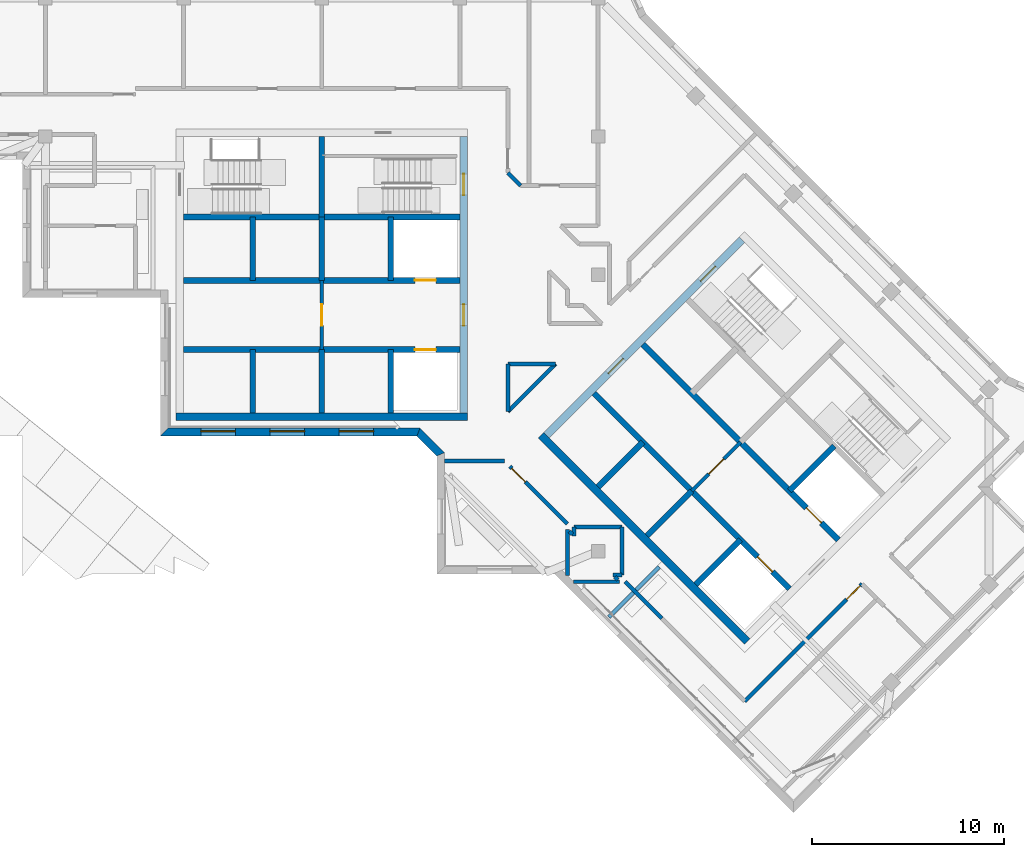
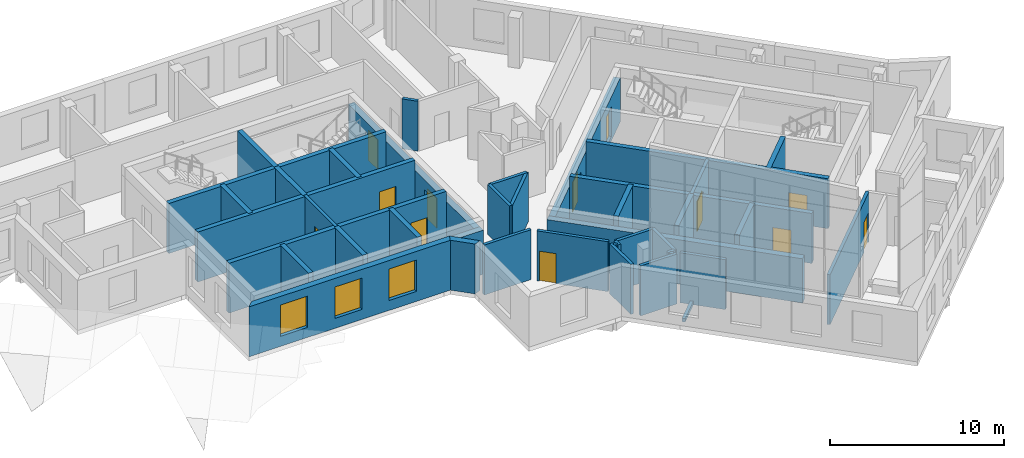
# One storey, part 7 of 13: 42 walls, 12 doors, 3 windows, 15 openings.
"""IFC4 building model written with IfcOpenShell, lengths in metres."""

from ifc_helpers import new_model, si_unit, direction, frame, frame_2d, origin, place, context, subcontext, project, spatial, polyline, rectangle, outline, extrude, material, layer, layer_set, type_object, element, fill, save


model = new_model("IFC4")

# Units and contexts
model_context = context("Model", 3, precision=1e-05, world=origin(), true_north=direction((0.0, 1.0)))
body_context = subcontext(model_context, "Body", "Model", "MODEL_VIEW")
ifc_project = project(units=[si_unit("LENGTHUNIT", "METRE"), si_unit("AREAUNIT", "SQUARE_METRE"), si_unit("VOLUMEUNIT", "CUBIC_METRE"), si_unit("PLANEANGLEUNIT", "RADIAN"), si_unit("MASSUNIT", "GRAM", prefix="KILO")], contexts=[model_context])

# Site, building, storey
site_placement = place(None, origin())
site = spatial("IfcSite", under=ifc_project, at=site_placement, CompositionType="ELEMENT")
building_placement = place(site_placement, origin())
building = spatial("IfcBuilding", under=site, at=building_placement, Name="Windrow Commons", CompositionType="ELEMENT")
storey_placement = place(building_placement, frame((0.0, 0.0, 294.4)))
storey = spatial("IfcBuildingStorey", under=building, at=storey_placement, Name="L80", CompositionType="ELEMENT", Elevation=294.4)

# Wall, opening, door
ifc_material_1 = material(Name="Blockwork partition", Category="masonry")
ifc_layer_1 = layer(ifc_material_1, 0.2)
ifc_layer_set_1 = layer_set([ifc_layer_1], Name="Fire lobby partition 200")
wall_type_1 = type_object("IfcWallType", Name="Fire lobby partition 200", PredefinedType="PARTITIONING", material=ifc_layer_set_1)
wall_1_placement = place(storey_placement, frame((64.8, 53.7, 0.0), z_axis=(0.0, 0.0, 1.0), x_axis=(0.0, 1.0, 0.0)))
wall_1 = element("IfcWall", 1, at=wall_1_placement, inside=storey, type_object=wall_type_1, Name="W-core-lobby-A-L80", PredefinedType="PARTITIONING", context=body_context, shape_type="SweptSolid", body=[
    extrude(outline(polyline([(0.0, 0.0), (3.6, 0.0), (3.6, 3.5), (0.0, 3.5), (0.0, 0.0)])), frame((0.0, 0.1, 0.0), z_axis=(0.0, -1.0, 0.0), x_axis=(1.0, 0.0, 0.0)), (0.0, 0.0, 1.0), 0.2),
])
opening_1_placement = place(wall_1_placement, frame((1.25, 0.0, 0.0)))
opening_1 = element("IfcOpeningElement", 2, at=opening_1_placement, cuts=wall_1, Name="Opening D6", PredefinedType="OPENING", context=body_context, shape_type="SweptSolid", body=[
    extrude(rectangle(XDim=1.1, YDim=2.1, at=frame_2d((0.55, 1.05))), frame((0.0, 0.11, 0.0), z_axis=(0.0, -1.0, 0.0), x_axis=(1.0, 0.0, 0.0)), (0.0, 0.0, 1.0), 0.22),
])
ifc_material_2 = material(Name="Steel fire door leaf", Category="steel")
door_type_1 = type_object("IfcDoorType", Name="Core lobby door 1100", OperationType="SINGLE_SWING_LEFT", PredefinedType="DOOR", material=ifc_material_2)
door_1_placement = place(opening_1_placement, origin())
door_1 = element("IfcDoor", 3, at=door_1_placement, inside=storey, type_object=door_type_1, Name="Lift lobby door", OperationType="DOUBLE_DOOR_SINGLE_SWING", OverallHeight=2.1, OverallWidth=1.1, PredefinedType="DOOR", context=body_context, shape_type="SweptSolid", body=[
    extrude(rectangle(XDim=1.1, YDim=2.1, at=frame_2d((0.55, 1.05))), frame((0.0, 0.025, 0.0), z_axis=(0.0, -1.0, 0.0), x_axis=(1.0, 0.0, 0.0)), (0.0, 0.0, 1.0), 0.05),
])
fill(opening_1, door_1)

wall_2_placement = place(storey_placement, frame((84.079, 46.332, 0.0), z_axis=(0.0, 0.0, 1.0), x_axis=(0.7071067812, 0.7071067812, 0.0)))
wall_2 = element("IfcWall", 4, at=wall_2_placement, inside=storey, type_object=wall_type_1, Name="W-core-lobby-B-L80", PredefinedType="PARTITIONING", context=body_context, shape_type="SweptSolid", body=[
    extrude(outline(polyline([(0.0, 0.0), (3.6, 0.0), (3.6, 3.5), (0.0, 3.5), (0.0, 0.0)])), frame((0.0, 0.1, 0.0), z_axis=(0.0, -1.0, 0.0), x_axis=(1.0, 0.0, 0.0)), (0.0, 0.0, 1.0), 0.2),
])
opening_2_placement = place(wall_2_placement, frame((1.25, 0.0, 0.0)))
opening_2 = element("IfcOpeningElement", 5, at=opening_2_placement, cuts=wall_2, Name="Opening D6", PredefinedType="OPENING", context=body_context, shape_type="SweptSolid", body=[
    extrude(rectangle(XDim=1.1, YDim=2.1, at=frame_2d((0.55, 1.05))), frame((0.0, 0.11, 0.0), z_axis=(0.0, -1.0, 0.0), x_axis=(1.0, 0.0, 0.0)), (0.0, 0.0, 1.0), 0.22),
])
door_2_placement = place(opening_2_placement, origin())
door_2 = element("IfcDoor", 6, at=door_2_placement, inside=storey, type_object=door_type_1, Name="Lift lobby door", OperationType="DOUBLE_DOOR_SINGLE_SWING", OverallHeight=2.1, OverallWidth=1.1, PredefinedType="DOOR", context=body_context, shape_type="SweptSolid", body=[
    extrude(rectangle(XDim=1.1, YDim=2.1, at=frame_2d((0.55, 1.05))), frame((0.0, 0.025, 0.0), z_axis=(0.0, -1.0, 0.0), x_axis=(1.0, 0.0, 0.0)), (0.0, 0.0, 1.0), 0.05),
])
fill(opening_2, door_2)

ifc_material_3 = material(Name="Blockwork partition", Category="masonry")
ifc_layer_2 = layer(ifc_material_3, 0.2)
ifc_layer_set_2 = layer_set([ifc_layer_2], Name="IW-CORRIDOR-200")
wall_type_2 = type_object("IfcWallType", Name="IW-CORRIDOR-200", PredefinedType="PARTITIONING", material=ifc_layer_set_2)
wall_3_placement = place(storey_placement, frame((86.8356, 35.3724, 0.0), z_axis=(0.0, 0.0, 1.0), x_axis=(0.7071067812, 0.7071067812, 0.0)))
wall_3 = element("IfcWall", 7, at=wall_3_placement, inside=storey, type_object=wall_type_2, Name="W-L80-W006", PredefinedType="PARTITIONING", context=body_context, shape_type="SweptSolid", body=[
    extrude(rectangle(XDim=8.6507, YDim=0.2, at=frame_2d((4.3254, 0.0))), origin(), (0.0, 0.0, 1.0), 3.5),
])
opening_3_placement = place(wall_3_placement, frame((7.5023, 0.0, 0.0)))
opening_3 = element("IfcOpeningElement", 8, at=opening_3_placement, cuts=wall_3, Name="Opening D410F", PredefinedType="OPENING", context=body_context, shape_type="SweptSolid", body=[
    extrude(rectangle(XDim=1.0, YDim=2.1, at=frame_2d((0.5, 1.05))), frame((0.0, 0.11, 0.0), z_axis=(0.0, -1.0, 0.0), x_axis=(1.0, 0.0, 0.0)), (0.0, 0.0, 1.0), 0.22),
])
ifc_material_4 = material(Name="Timber door leaf", Category="wood")
door_type_2 = type_object("IfcDoorType", Name="DT-SERVICE-1000", OperationType="SINGLE_SWING_LEFT", PredefinedType="DOOR", material=ifc_material_4)
door_3_placement = place(opening_3_placement, origin())
door_3 = element("IfcDoor", 9, at=door_3_placement, inside=storey, type_object=door_type_2, Name="D-L80-D014", OperationType="SINGLE_SWING_LEFT", OverallHeight=2.1, OverallWidth=1.0, PredefinedType="DOOR", context=body_context, shape_type="SweptSolid", body=[
    extrude(rectangle(XDim=1.0, YDim=2.1, at=frame_2d((0.5, 1.05))), frame((0.0, 0.025, 0.0), z_axis=(0.0, -1.0, 0.0), x_axis=(1.0, 0.0, 0.0)), (0.0, 0.0, 1.0), 0.05),
])
fill(opening_3, door_3)

wall_4_placement = place(storey_placement, frame((74.6011, 47.6011, 0.0), z_axis=(0.0, 0.0, 1.0), x_axis=(0.7071067812, -0.7071067812, 0.0)))
wall_4 = element("IfcWall", 10, at=wall_4_placement, inside=storey, type_object=wall_type_2, Name="W-L80-W023", PredefinedType="PARTITIONING", context=body_context, shape_type="SweptSolid", body=[
    extrude(rectangle(XDim=4.237, YDim=0.2, at=frame_2d((2.1185, 0.0))), origin(), (0.0, 0.0, 1.0), 3.5),
])
opening_4_placement = place(wall_4_placement, frame((0.1388, 0.0, 0.0)))
opening_4 = element("IfcOpeningElement", 11, at=opening_4_placement, cuts=wall_4, Name="Opening D410F", PredefinedType="OPENING", context=body_context, shape_type="SweptSolid", body=[
    extrude(rectangle(XDim=1.0, YDim=2.1, at=frame_2d((0.5, 1.05))), frame((0.0, 0.11, 0.0), z_axis=(0.0, -1.0, 0.0), x_axis=(1.0, 0.0, 0.0)), (0.0, 0.0, 1.0), 0.22),
])
door_4_placement = place(opening_4_placement, origin())
door_4 = element("IfcDoor", 12, at=door_4_placement, inside=storey, type_object=door_type_2, Name="D-L80-D000", OperationType="SINGLE_SWING_LEFT", OverallHeight=2.1, OverallWidth=1.0, PredefinedType="DOOR", context=body_context, shape_type="SweptSolid", body=[
    extrude(rectangle(XDim=1.0, YDim=2.1, at=frame_2d((0.5, 1.05))), frame((0.0, 0.025, 0.0), z_axis=(0.0, -1.0, 0.0), x_axis=(1.0, 0.0, 0.0)), (0.0, 0.0, 1.0), 0.05),
])
fill(opening_4, door_4)

# Walls
wall_5_placement = place(storey_placement, frame((74.5007, 50.4733, 0.0), z_axis=(0.0, 0.0, 1.0), x_axis=(0.7071067812, 0.7071067812, 0.0)))
element("IfcWall", 13, at=wall_5_placement, inside=storey, type_object=wall_type_2, Name="W-L80-W029", PredefinedType="PARTITIONING", context=body_context, shape_type="SweptSolid", body=[
    extrude(rectangle(XDim=3.5016, YDim=0.2, at=frame_2d((1.7508, 0.0))), origin(), (0.0, 0.0, 1.0), 3.5),
])
wall_6_placement = place(storey_placement, frame((80.6082, 41.6002, 0.0), z_axis=(0.0, 0.0, 1.0), x_axis=(0.7074759311, -0.7067374385, 0.0)))
element("IfcWall", 14, at=wall_6_placement, inside=storey, type_object=wall_type_2, Name="W-L80-W037", PredefinedType="PARTITIONING", context=body_context, shape_type="SweptSolid", body=[
    extrude(rectangle(XDim=2.7082, YDim=0.2, at=frame_2d((1.3541, 0.0))), origin(), (0.0, 0.0, 1.0), 3.5),
])
for number, where, z_axis, x_axis, name in (
    (15, (80.45, 41.952, 0.0), (0.0, 0.0, 1.0), (0.0, 1.0, 0.0), "W-L80-W042"),
    (16, (77.952, 44.45, 0.0), (0.0, 0.0, 1.0), (1.0, 0.0, 0.0), "W-L80-W043"),
):
    element("IfcWall", number, at=place(storey_placement, frame(where, z_axis=z_axis, x_axis=x_axis)), inside=storey, type_object=wall_type_2, Name=name, PredefinedType="PARTITIONING", context=body_context, shape_type="SweptSolid", body=[
        extrude(rectangle(XDim=2.498, YDim=0.2, at=frame_2d((1.249, 0.0))), origin(), (0.0, 0.0, 1.0), 3.5),
    ])
wall_7_placement = place(storey_placement, frame((74.5, 50.474, 0.0), z_axis=(0.0, 0.0, 1.0), x_axis=(0.0, 1.0, 0.0)))
element("IfcWall", 17, at=wall_7_placement, inside=storey, type_object=wall_type_2, Name="W-L80-W044", PredefinedType="PARTITIONING", context=body_context, shape_type="SweptSolid", body=[
    extrude(rectangle(XDim=2.476, YDim=0.2, at=frame_2d((1.238, 0.0))), origin(), (0.0, 0.0, 1.0), 3.5),
])
wall_8_placement = place(storey_placement, frame((74.502, 52.95, 0.0), z_axis=(0.0, 0.0, 1.0), x_axis=(1.0, 0.0, 0.0)))
element("IfcWall", 18, at=wall_8_placement, inside=storey, type_object=wall_type_2, Name="W-L80-W045", PredefinedType="PARTITIONING", context=body_context, shape_type="SweptSolid", body=[
    extrude(rectangle(XDim=2.474, YDim=0.2, at=frame_2d((1.237, 0.0))), origin(), (0.0, 0.0, 1.0), 3.5),
])
wall_9_placement = place(storey_placement, frame((74.4965, 62.9085, 0.0), z_axis=(0.0, 0.0, 1.0), x_axis=(0.7071067812, -0.7071067812, 0.0)))
element("IfcWall", 19, at=wall_9_placement, inside=storey, type_object=wall_type_2, Name="W-L80-W064", PredefinedType="PARTITIONING", context=body_context, shape_type="SweptSolid", body=[
    extrude(rectangle(XDim=0.9362, YDim=0.2, at=frame_2d((0.4681, 0.0))), origin(), (0.0, 0.0, 1.0), 3.5),
])
for number, where, z_axis, x_axis, name in (
    (20, (77.6957, 44.2237, 0.0), (0.0, 0.0, 1.0), (0.7071067812, -0.7071067812, 0.0), "W-L80-W081"),
    (21, (80.0646, 41.8548, 0.0), (0.0, 0.0, 1.0), (0.7071067812, -0.7071067812, 0.0), "W-L80-W082"),
):
    element("IfcWall", number, at=place(storey_placement, frame(where, z_axis=z_axis, x_axis=x_axis)), inside=storey, type_object=wall_type_2, Name=name, PredefinedType="PARTITIONING", context=body_context, shape_type="SweptSolid", body=[
        extrude(rectangle(XDim=0.225, YDim=0.2, at=frame_2d((0.1125, 0.0))), origin(), (0.0, 0.0, 1.0), 3.5),
    ])
for number, where, z_axis, x_axis, name in (
    (22, (79.976, 41.95, 0.0), (0.0, 0.0, 1.0), (1.0, 0.0, 0.0), "W-L80-W083"),
    (23, (77.95, 43.976, 0.0), (0.0, 0.0, 1.0), (0.0, 1.0, 0.0), "W-L80-W084"),
):
    element("IfcWall", number, at=place(storey_placement, frame(where, z_axis=z_axis, x_axis=x_axis)), inside=storey, type_object=wall_type_2, Name=name, PredefinedType="PARTITIONING", context=body_context, shape_type="SweptSolid", body=[
        extrude(rectangle(XDim=0.474, YDim=0.2, at=frame_2d((0.237, 0.0))), origin(), (0.0, 0.0, 1.0), 3.5),
    ])
wall_10_placement = place(storey_placement, frame((71.2, 47.9, 0.0), z_axis=(0.0, 0.0, 1.0), x_axis=(1.0, 0.0, 0.0)))
element("IfcWall", 24, at=wall_10_placement, inside=storey, type_object=wall_type_2, Name="W-L80-W030", PredefinedType="PARTITIONING", context=body_context, shape_type="SweptSolid", body=[
    extrude(outline(polyline([(0.0, -0.1), (3.108, -0.1), (3.108, 0.1), (0.0, 0.1), (0.0, -0.1)])), origin(), (0.0, 0.0, 1.0), 3.5),
])
ifc_material_5 = material(Name="Blockwork partition", Category="masonry")
ifc_layer_3 = layer(ifc_material_5, 0.2)
ifc_layer_set_3 = layer_set([ifc_layer_3], Name="IW-PARTY-200")
wall_type_3 = type_object("IfcWallType", Name="IW-PARTY-200", PredefinedType="PARTITIONING", material=ifc_layer_set_3)
for number, where, z_axis, x_axis, name in (
    (25, (77.6, 41.9216, 0.0), (0.0, 0.0, 1.0), (0.0, 1.0, 0.0), "W-L80-W035"),
    (26, (77.9216, 41.6, 0.0), (0.0, 0.0, 1.0), (1.0, 0.0, 0.0), "W-L80-W036"),
):
    element("IfcWall", number, at=place(storey_placement, frame(where, z_axis=z_axis, x_axis=x_axis)), inside=storey, type_object=wall_type_3, Name=name, PredefinedType="PARTITIONING", context=body_context, shape_type="SweptSolid", body=[
        extrude(outline(polyline([(0.0, -0.1), (2.4044, -0.1), (2.4044, 0.1), (0.0, 0.1), (0.0, -0.1)])), origin(), (0.0, 0.0, 1.0), 3.5),
    ])
ifc_material_6 = material(Name="Concrete C40/50", Category="concrete")
ifc_layer_4 = layer(ifc_material_6, 0.4)
ifc_layer_set_4 = layer_set([ifc_layer_4], Name="RC CORE WALL 400 C40/50")
wall_type_4 = type_object("IfcWallType", Name="RC CORE WALL 400 C40/50", PredefinedType="SHEAR", material=ifc_layer_set_4)
wall_11_placement = place(storey_placement, frame((57.2, 50.2, -0.3), z_axis=(0.0, 0.0, 1.0), x_axis=(1.0, 0.0, 0.0)))
element("IfcWall", 27, at=wall_11_placement, inside=storey, type_object=wall_type_4, Name="Core A wall outer-S", PredefinedType="SHEAR", context=body_context, shape_type="SweptSolid", body=[
    extrude(outline(polyline([(0.0, 0.0), (15.2, 0.0), (15.2, 3.1), (0.0, 3.1), (0.0, 0.0)])), frame((0.0, 0.2, 0.0), z_axis=(0.0, -1.0, 0.0), x_axis=(1.0, 0.0, 0.0)), (0.0, 0.0, 1.0), 0.4),
])

# Wall, openings, doors
wall_12_placement = place(storey_placement, frame((72.2, 50.4, -0.3), z_axis=(0.0, 0.0, 1.0), x_axis=(0.0, 1.0, 0.0)))
wall_12 = element("IfcWall", 28, at=wall_12_placement, inside=storey, type_object=wall_type_4, Name="Core A wall outer-E", PredefinedType="SHEAR", context=body_context, shape_type="SweptSolid", body=[
    extrude(outline(polyline([(0.0, 0.0), (14.4, 0.0), (14.4, 3.1), (0.0, 3.1), (0.0, 0.0)])), frame((0.0, 0.2, 0.0), z_axis=(0.0, -1.0, 0.0), x_axis=(1.0, 0.0, 0.0)), (0.0, 0.0, 1.0), 0.4),
])
opening_5_placement = place(wall_12_placement, frame((4.55, 0.0, 0.3)))
opening_5 = element("IfcOpeningElement", 29, at=opening_5_placement, cuts=wall_12, Name="Opening D6", PredefinedType="OPENING", context=body_context, shape_type="SweptSolid", body=[
    extrude(rectangle(XDim=1.1, YDim=2.1, at=frame_2d((0.55, 1.05))), frame((0.0, 0.21, 0.0), z_axis=(0.0, -1.0, 0.0), x_axis=(1.0, 0.0, 0.0)), (0.0, 0.0, 1.0), 0.42),
])
opening_6_placement = place(wall_12_placement, frame((11.35, 0.0, 0.3)))
opening_6 = element("IfcOpeningElement", 30, at=opening_6_placement, cuts=wall_12, Name="Opening D7", PredefinedType="OPENING", context=body_context, shape_type="SweptSolid", body=[
    extrude(rectangle(XDim=1.1, YDim=2.1, at=frame_2d((0.55, 1.05))), frame((0.0, 0.21, 0.0), z_axis=(0.0, -1.0, 0.0), x_axis=(1.0, 0.0, 0.0)), (0.0, 0.0, 1.0), 0.42),
])
door_5_placement = place(opening_5_placement, origin())
door_5 = element("IfcDoor", 31, at=door_5_placement, inside=storey, type_object=door_type_1, Name="Lift lobby door", OperationType="DOUBLE_DOOR_SINGLE_SWING", OverallHeight=2.1, OverallWidth=1.1, PredefinedType="DOOR", context=body_context, shape_type="SweptSolid", body=[
    extrude(rectangle(XDim=1.1, YDim=2.1, at=frame_2d((0.55, 1.05))), frame((0.0, 0.025, 0.0), z_axis=(0.0, -1.0, 0.0), x_axis=(1.0, 0.0, 0.0)), (0.0, 0.0, 1.0), 0.05),
])
fill(opening_5, door_5)
ifc_material_7 = material(Name="Steel fire door leaf", Category="steel")
door_type_3 = type_object("IfcDoorType", Name="Stair door 1100", OperationType="SINGLE_SWING_LEFT", PredefinedType="DOOR", material=ifc_material_7)
door_6_placement = place(opening_6_placement, origin())
door_6 = element("IfcDoor", 32, at=door_6_placement, inside=storey, type_object=door_type_3, Name="Stair door", OperationType="SINGLE_SWING_RIGHT", OverallHeight=2.1, OverallWidth=1.1, PredefinedType="DOOR", context=body_context, shape_type="SweptSolid", body=[
    extrude(rectangle(XDim=1.1, YDim=2.1, at=frame_2d((0.55, 1.05))), frame((0.0, 0.025, 0.0), z_axis=(0.0, -1.0, 0.0), x_axis=(1.0, 0.0, 0.0)), (0.0, 0.0, 1.0), 0.05),
])
fill(opening_6, door_6)

# Wall
wall_13_placement = place(storey_placement, frame((76.2302, 49.2312, -0.3), z_axis=(0.0, 0.0, 1.0), x_axis=(0.7071034917, -0.7071100706, 0.0)))
element("IfcWall", 33, at=wall_13_placement, inside=storey, type_object=wall_type_4, Name="Core B wall outer-S", PredefinedType="SHEAR", context=body_context, shape_type="SweptSolid", body=[
    extrude(outline(polyline([(0.0, 0.0), (15.2, 0.0), (15.2, 3.1), (0.0, 3.1), (0.0, 0.0)])), frame((0.0, 0.2, 0.0), z_axis=(0.0, -1.0, 0.0), x_axis=(1.0, 0.0, 0.0)), (0.0, 0.0, 1.0), 0.4),
])

# Wall, openings, doors
wall_14_placement = place(storey_placement, frame((76.513, 49.2312, -0.3), z_axis=(0.0, 0.0, 1.0), x_axis=(0.7071067812, 0.7071067812, 0.0)))
wall_14 = element("IfcWall", 34, at=wall_14_placement, inside=storey, type_object=wall_type_4, Name="Core B wall outer-W", PredefinedType="SHEAR", context=body_context, shape_type="SweptSolid", body=[
    extrude(outline(polyline([(0.0, 0.0), (14.3999, 0.0), (14.3999, 3.1), (0.0, 3.1), (0.0, 0.0)])), frame((0.0, 0.2, 0.0), z_axis=(0.0, -1.0, 0.0), x_axis=(1.0, 0.0, 0.0)), (0.0, 0.0, 1.0), 0.4),
])
opening_7_placement = place(wall_14_placement, frame((4.55, 0.0, 0.3)))
opening_7 = element("IfcOpeningElement", 35, at=opening_7_placement, cuts=wall_14, Name="Opening D6", PredefinedType="OPENING", context=body_context, shape_type="SweptSolid", body=[
    extrude(rectangle(XDim=1.1, YDim=2.1, at=frame_2d((0.55, 1.05))), frame((0.0, 0.21, 0.0), z_axis=(0.0, -1.0, 0.0), x_axis=(1.0, 0.0, 0.0)), (0.0, 0.0, 1.0), 0.42),
])
opening_8_placement = place(wall_14_placement, frame((11.35, 0.0, 0.3)))
opening_8 = element("IfcOpeningElement", 36, at=opening_8_placement, cuts=wall_14, Name="Opening D7", PredefinedType="OPENING", context=body_context, shape_type="SweptSolid", body=[
    extrude(rectangle(XDim=1.1, YDim=2.1, at=frame_2d((0.55, 1.05))), frame((0.0, 0.21, 0.0), z_axis=(0.0, -1.0, 0.0), x_axis=(1.0, 0.0, 0.0)), (0.0, 0.0, 1.0), 0.42),
])
door_7_placement = place(opening_7_placement, origin())
door_7 = element("IfcDoor", 37, at=door_7_placement, inside=storey, type_object=door_type_1, Name="Lift lobby door", OperationType="DOUBLE_DOOR_SINGLE_SWING", OverallHeight=2.1, OverallWidth=1.1, PredefinedType="DOOR", context=body_context, shape_type="SweptSolid", body=[
    extrude(rectangle(XDim=1.1, YDim=2.1, at=frame_2d((0.55, 1.05))), frame((0.0, 0.025, 0.0), z_axis=(0.0, -1.0, 0.0), x_axis=(1.0, 0.0, 0.0)), (0.0, 0.0, 1.0), 0.05),
])
fill(opening_7, door_7)
door_8_placement = place(opening_8_placement, origin())
door_8 = element("IfcDoor", 38, at=door_8_placement, inside=storey, type_object=door_type_3, Name="Stair door", OperationType="SINGLE_SWING_LEFT", OverallHeight=2.1, OverallWidth=1.1, PredefinedType="DOOR", context=body_context, shape_type="SweptSolid", body=[
    extrude(rectangle(XDim=1.1, YDim=2.1, at=frame_2d((0.55, 1.05))), frame((0.0, 0.025, 0.0), z_axis=(0.0, -1.0, 0.0), x_axis=(1.0, 0.0, 0.0)), (0.0, 0.0, 1.0), 0.05),
])
fill(opening_8, door_8)

# Walls
ifc_material_8 = material(Name="Concrete C40/50", Category="concrete")
ifc_layer_5 = layer(ifc_material_8, 0.3)
ifc_layer_set_5 = layer_set([ifc_layer_5], Name="RC SHAFT WALL 300 C40/50")
wall_type_5 = type_object("IfcWallType", Name="RC SHAFT WALL 300 C40/50", PredefinedType="SOLIDWALL", material=ifc_layer_set_5)
for number, where, z_axis, x_axis, name in (
    (39, (61.2, 50.4, 0.0), (0.0, 0.0, 1.0), (0.0, 1.0, 0.0), "Core A wall shaft-S1"),
    (40, (61.2, 57.3, 0.0), (0.0, 0.0, 1.0), (0.0, 1.0, 0.0), "Core A wall shaft-N1"),
    (41, (64.8, 50.4, 0.0), (0.0, 0.0, 1.0), (0.0, 1.0, 0.0), "Core A wall shaft-S2"),
    (42, (64.8, 57.3, 0.0), (0.0, 0.0, 1.0), (0.0, 1.0, 0.0), "Core A wall shaft-N2"),
    (43, (68.4, 50.4, 0.0), (0.0, 0.0, 1.0), (0.0, 1.0, 0.0), "Core A wall shaft-S3"),
    (44, (68.4, 57.3, 0.0), (0.0, 0.0, 1.0), (0.0, 1.0, 0.0), "Core A wall shaft-N3"),
):
    element("IfcWall", number, at=place(storey_placement, frame(where, z_axis=z_axis, x_axis=x_axis)), inside=storey, type_object=wall_type_5, Name=name, PredefinedType="SOLIDWALL", context=body_context, shape_type="SweptSolid", body=[
        extrude(outline(polyline([(0.0, 0.0), (3.3, 0.0), (3.3, 3.5), (0.0, 3.5), (0.0, 0.0)])), frame((0.0, 0.15, 0.0), z_axis=(0.0, -1.0, 0.0), x_axis=(1.0, 0.0, 0.0)), (0.0, 0.0, 1.0), 0.3),
    ])

# Wall, opening, door
wall_15_placement = place(storey_placement, frame((57.6, 53.7, 0.0), z_axis=(0.0, 0.0, 1.0), x_axis=(1.0, 0.0, 0.0)))
wall_15 = element("IfcWall", 45, at=wall_15_placement, inside=storey, type_object=wall_type_5, Name="Core A wall lobby-S", PredefinedType="SOLIDWALL", context=body_context, shape_type="SweptSolid", body=[
    extrude(outline(polyline([(0.0, 0.0), (14.4, 0.0), (14.4, 3.5), (0.0, 3.5), (0.0, 0.0)])), frame((0.0, 0.15, 0.0), z_axis=(0.0, -1.0, 0.0), x_axis=(1.0, 0.0, 0.0)), (0.0, 0.0, 1.0), 0.3),
])
opening_9_placement = place(wall_15_placement, frame((12.05, 0.0, 0.0)))
opening_9 = element("IfcOpeningElement", 46, at=opening_9_placement, cuts=wall_15, Name="Opening LD", PredefinedType="OPENING", context=body_context, shape_type="SweptSolid", body=[
    extrude(rectangle(XDim=1.1, YDim=2.1, at=frame_2d((0.55, 1.05))), frame((0.0, 0.16, 0.0), z_axis=(0.0, -1.0, 0.0), x_axis=(1.0, 0.0, 0.0)), (0.0, 0.0, 1.0), 0.32),
])
ifc_material_9 = material(Name="Stainless steel door leaf", Category="steel")
door_type_4 = type_object("IfcDoorType", Name="Lift landing door 1100", OperationType="SLIDING_TO_LEFT", PredefinedType="DOOR", material=ifc_material_9)
door_9_placement = place(opening_9_placement, origin())
door_9 = element("IfcDoor", 47, at=door_9_placement, inside=storey, type_object=door_type_4, Name="Lift landing door", OperationType="SLIDING_TO_RIGHT", OverallHeight=2.1, OverallWidth=1.1, PredefinedType="DOOR", context=body_context, shape_type="SweptSolid", body=[
    extrude(rectangle(XDim=1.1, YDim=2.1, at=frame_2d((0.55, 1.05))), frame((0.0, 0.025, 0.0), z_axis=(0.0, -1.0, 0.0), x_axis=(1.0, 0.0, 0.0)), (0.0, 0.0, 1.0), 0.05),
])
fill(opening_9, door_9)

wall_16_placement = place(storey_placement, frame((57.6, 57.3, 0.0), z_axis=(0.0, 0.0, 1.0), x_axis=(1.0, 0.0, 0.0)))
wall_16 = element("IfcWall", 48, at=wall_16_placement, inside=storey, type_object=wall_type_5, Name="Core A wall lobby-N", PredefinedType="SOLIDWALL", context=body_context, shape_type="SweptSolid", body=[
    extrude(outline(polyline([(0.0, 0.0), (14.4, 0.0), (14.4, 3.5), (0.0, 3.5), (0.0, 0.0)])), frame((0.0, 0.15, 0.0), z_axis=(0.0, -1.0, 0.0), x_axis=(1.0, 0.0, 0.0)), (0.0, 0.0, 1.0), 0.3),
])
opening_10_placement = place(wall_16_placement, frame((12.05, 0.0, 0.0)))
opening_10 = element("IfcOpeningElement", 49, at=opening_10_placement, cuts=wall_16, Name="Opening LD", PredefinedType="OPENING", context=body_context, shape_type="SweptSolid", body=[
    extrude(rectangle(XDim=1.1, YDim=2.1, at=frame_2d((0.55, 1.05))), frame((0.0, 0.16, 0.0), z_axis=(0.0, -1.0, 0.0), x_axis=(1.0, 0.0, 0.0)), (0.0, 0.0, 1.0), 0.32),
])
door_10_placement = place(opening_10_placement, origin())
door_10 = element("IfcDoor", 50, at=door_10_placement, inside=storey, type_object=door_type_4, Name="Lift landing door", OperationType="SLIDING_TO_RIGHT", OverallHeight=2.1, OverallWidth=1.1, PredefinedType="DOOR", context=body_context, shape_type="SweptSolid", body=[
    extrude(rectangle(XDim=1.1, YDim=2.1, at=frame_2d((0.55, 1.05))), frame((0.0, 0.025, 0.0), z_axis=(0.0, -1.0, 0.0), x_axis=(1.0, 0.0, 0.0)), (0.0, 0.0, 1.0), 0.05),
])
fill(opening_10, door_10)

# Walls
for number, where, z_axis, x_axis, name in (
    (51, (57.6, 60.6, 0.0), (0.0, 0.0, 1.0), (1.0, 0.0, 0.0), "Core A wall stair-S"),
    (52, (64.8, 60.6, 0.0), (0.0, 0.0, 1.0), (1.0, 0.0, 0.0), "Core A wall stair-S2"),
):
    element("IfcWall", number, at=place(storey_placement, frame(where, z_axis=z_axis, x_axis=x_axis)), inside=storey, type_object=wall_type_5, Name=name, PredefinedType="SOLIDWALL", context=body_context, shape_type="SweptSolid", body=[
        extrude(outline(polyline([(0.0, 0.0), (7.2, 0.0), (7.2, 3.5), (0.0, 3.5), (0.0, 0.0)])), frame((0.0, 0.15, 0.0), z_axis=(0.0, -1.0, 0.0), x_axis=(1.0, 0.0, 0.0)), (0.0, 0.0, 1.0), 0.3),
    ])
wall_17_placement = place(storey_placement, frame((64.8, 60.6, 0.0), z_axis=(0.0, 0.0, 1.0), x_axis=(0.0, 1.0, 0.0)))
element("IfcWall", 53, at=wall_17_placement, inside=storey, type_object=wall_type_5, Name="Core A wall stair-mid", PredefinedType="SOLIDWALL", context=body_context, shape_type="SweptSolid", body=[
    extrude(outline(polyline([(0.0, 0.0), (4.2, 0.0), (4.2, 3.5), (0.0, 3.5), (0.0, 0.0)])), frame((0.0, 0.15, 0.0), z_axis=(0.0, -1.0, 0.0), x_axis=(1.0, 0.0, 0.0)), (0.0, 0.0, 1.0), 0.3),
])
wall_18_placement = place(storey_placement, frame((79.2, 46.5442, 0.0), z_axis=(0.0, 0.0, 1.0), x_axis=(0.7071219326, 0.7070916295, 0.0)))
element("IfcWall", 54, at=wall_18_placement, inside=storey, type_object=wall_type_5, Name="Core B wall shaft-S1", PredefinedType="SOLIDWALL", context=body_context, shape_type="SweptSolid", body=[
    extrude(outline(polyline([(0.0, 0.0), (3.3, 0.0), (3.3, 3.5), (0.0, 3.5), (0.0, 0.0)])), frame((0.0, 0.15, 0.0), z_axis=(0.0, -1.0, 0.0), x_axis=(1.0, 0.0, 0.0)), (0.0, 0.0, 1.0), 0.3),
])
for number, where, z_axis, x_axis, name in (
    (55, (81.7456, 43.9986, 0.0), (0.0, 0.0, 1.0), (0.7071067812, 0.7071067812, 0.0), "Core B wall shaft-S2"),
    (56, (84.2912, 41.453, 0.0), (0.0, 0.0, 1.0), (0.7071067812, 0.7071067812, 0.0), "Core B wall shaft-S3"),
):
    element("IfcWall", number, at=place(storey_placement, frame(where, z_axis=z_axis, x_axis=x_axis)), inside=storey, type_object=wall_type_5, Name=name, PredefinedType="SOLIDWALL", context=body_context, shape_type="SweptSolid", body=[
        extrude(outline(polyline([(0.0, 0.0), (3.2999, 0.0), (3.2999, 3.5), (0.0, 3.5), (0.0, 0.0)])), frame((0.0, 0.15, 0.0), z_axis=(0.0, -1.0, 0.0), x_axis=(1.0, 0.0, 0.0)), (0.0, 0.0, 1.0), 0.3),
    ])
wall_19_placement = place(storey_placement, frame((89.1702, 46.332, 0.0), z_axis=(0.0, 0.0, 1.0), x_axis=(0.7071067812, 0.7071067812, 0.0)))
element("IfcWall", 57, at=wall_19_placement, inside=storey, type_object=wall_type_5, Name="Core B wall shaft-N3", PredefinedType="SOLIDWALL", context=body_context, shape_type="SweptSolid", body=[
    extrude(outline(polyline([(0.0, 0.0), (3.3001, 0.0), (3.3001, 3.5), (0.0, 3.5), (0.0, 0.0)])), frame((0.0, 0.15, 0.0), z_axis=(0.0, -1.0, 0.0), x_axis=(1.0, 0.0, 0.0)), (0.0, 0.0, 1.0), 0.3),
])

# Wall, opening, door
wall_20_placement = place(storey_placement, frame((78.9879, 51.4232, 0.0), z_axis=(0.0, 0.0, 1.0), x_axis=(0.7071067812, -0.7071067812, 0.0)))
wall_20 = element("IfcWall", 58, at=wall_20_placement, inside=storey, type_object=wall_type_5, Name="Core B wall lobby-S", PredefinedType="SOLIDWALL", context=body_context, shape_type="SweptSolid", body=[
    extrude(outline(polyline([(0.0, 0.0), (14.3999, 0.0), (14.3999, 3.5), (0.0, 3.5), (0.0, 0.0)])), frame((0.0, 0.15, 0.0), z_axis=(0.0, -1.0, 0.0), x_axis=(1.0, 0.0, 0.0)), (0.0, 0.0, 1.0), 0.3),
])
opening_11_placement = place(wall_20_placement, frame((12.05, 0.0, 0.0)))
opening_11 = element("IfcOpeningElement", 59, at=opening_11_placement, cuts=wall_20, Name="Opening LD", PredefinedType="OPENING", context=body_context, shape_type="SweptSolid", body=[
    extrude(rectangle(XDim=1.1, YDim=2.1, at=frame_2d((0.55, 1.05))), frame((0.0, 0.16, 0.0), z_axis=(0.0, -1.0, 0.0), x_axis=(1.0, 0.0, 0.0)), (0.0, 0.0, 1.0), 0.32),
])
door_11_placement = place(opening_11_placement, origin())
door_11 = element("IfcDoor", 60, at=door_11_placement, inside=storey, type_object=door_type_4, Name="Lift landing door", OperationType="SLIDING_TO_RIGHT", OverallHeight=2.1, OverallWidth=1.1, PredefinedType="DOOR", context=body_context, shape_type="SweptSolid", body=[
    extrude(rectangle(XDim=1.1, YDim=2.1, at=frame_2d((0.55, 1.05))), frame((0.0, 0.025, 0.0), z_axis=(0.0, -1.0, 0.0), x_axis=(1.0, 0.0, 0.0)), (0.0, 0.0, 1.0), 0.05),
])
fill(opening_11, door_11)

wall_21_placement = place(storey_placement, frame((81.5335, 53.9688, 0.0), z_axis=(0.0, 0.0, 1.0), x_axis=(0.707103309, -0.7071102534, 0.0)))
wall_21 = element("IfcWall", 61, at=wall_21_placement, inside=storey, type_object=wall_type_5, Name="Core B wall lobby-N", PredefinedType="SOLIDWALL", context=body_context, shape_type="SweptSolid", body=[
    extrude(outline(polyline([(0.0, 0.0), (14.4, 0.0), (14.4, 3.5), (0.0, 3.5), (0.0, 0.0)])), frame((0.0, 0.15, 0.0), z_axis=(0.0, -1.0, 0.0), x_axis=(1.0, 0.0, 0.0)), (0.0, 0.0, 1.0), 0.3),
])
opening_12_placement = place(wall_21_placement, frame((12.05, 0.0, 0.0)))
opening_12 = element("IfcOpeningElement", 62, at=opening_12_placement, cuts=wall_21, Name="Opening LD", PredefinedType="OPENING", context=body_context, shape_type="SweptSolid", body=[
    extrude(rectangle(XDim=1.1, YDim=2.1, at=frame_2d((0.55, 1.05))), frame((0.0, 0.16, 0.0), z_axis=(0.0, -1.0, 0.0), x_axis=(1.0, 0.0, 0.0)), (0.0, 0.0, 1.0), 0.32),
])
door_12_placement = place(opening_12_placement, origin())
door_12 = element("IfcDoor", 63, at=door_12_placement, inside=storey, type_object=door_type_4, Name="Lift landing door", OperationType="SLIDING_TO_RIGHT", OverallHeight=2.1, OverallWidth=1.1, PredefinedType="DOOR", context=body_context, shape_type="SweptSolid", body=[
    extrude(rectangle(XDim=1.1, YDim=2.1, at=frame_2d((0.55, 1.05))), frame((0.0, 0.025, 0.0), z_axis=(0.0, -1.0, 0.0), x_axis=(1.0, 0.0, 0.0)), (0.0, 0.0, 1.0), 0.05),
])
fill(opening_12, door_12)

# Wall
ifc_material_10 = material(Name="Brick masonry, red clay brick", Category="masonry")
ifc_layer_6 = layer(ifc_material_10, 0.2)
ifc_layer_set_6 = layer_set([ifc_layer_6], Name="Terrace edge parapet 200")
wall_type_6 = type_object("IfcWallType", Name="Terrace edge parapet 200", PredefinedType="PARAPET", material=ifc_layer_set_6)
wall_22_placement = place(storey_placement, frame((82.382, 42.3722, 0.0), z_axis=(0.0, 0.0, 1.0), x_axis=(-0.7071202943, -0.7070932678, 0.0)))
element("IfcWall", 64, at=wall_22_placement, inside=storey, type_object=wall_type_6, Name="Terrace parapet TR-L80-5.2.1", PredefinedType="PARAPET", context=body_context, shape_type="SweptSolid", body=[
    extrude(outline(polyline([(0.0, -0.1), (3.7, -0.1), (3.7, 0.1), (0.0, 0.1), (0.0, -0.1)])), origin(), (0.0, 0.0, 1.0), 0.25),
])

# Wall, openings, windows
ifc_material_11 = material(Name="Standing seam zinc cladding on insulated masonry backing", Category="masonry")
ifc_layer_7 = layer(ifc_material_11, 0.4)
ifc_layer_set_7 = layer_set([ifc_layer_7], Name="Zinc clad crown wall 400")
wall_type_7 = type_object("IfcWallType", Name="Zinc clad crown wall 400", PredefinedType="SOLIDWALL", material=ifc_layer_set_7)
wall_23_placement = place(storey_placement, frame((56.6, 49.4, 0.0), z_axis=(0.0, 0.0, 1.0), x_axis=(1.0, 0.0, 0.0)))
wall_23 = element("IfcWall", 65, at=wall_23_placement, inside=storey, type_object=wall_type_7, Name="Brick facade wall L80 21", PredefinedType="SOLIDWALL", context=body_context, shape_type="SweptSolid", body=[
    extrude(outline(polyline([(-0.2, -0.2), (13.1559, -0.2), (13.3216, 0.2), (0.2, 0.2), (-0.2, -0.2)])), origin(), (0.0, 0.0, 1.0), 3.5),
])
opening_13_placement = place(wall_23_placement, frame((1.9, 0.0, 0.7)))
opening_13 = element("IfcOpeningElement", 66, at=opening_13_placement, cuts=wall_23, Name="Opening W6", PredefinedType="OPENING", context=body_context, shape_type="SweptSolid", body=[
    extrude(rectangle(XDim=1.8, YDim=2.2, at=frame_2d((0.9, 1.1))), frame((0.0, 0.21, 0.0), z_axis=(0.0, -1.0, 0.0), x_axis=(1.0, 0.0, 0.0)), (0.0, 0.0, 1.0), 0.42),
])
opening_14_placement = place(wall_23_placement, frame((5.5, 0.0, 0.7)))
opening_14 = element("IfcOpeningElement", 67, at=opening_14_placement, cuts=wall_23, Name="Opening W6", PredefinedType="OPENING", context=body_context, shape_type="SweptSolid", body=[
    extrude(rectangle(XDim=1.8, YDim=2.2, at=frame_2d((0.9, 1.1))), frame((0.0, 0.21, 0.0), z_axis=(0.0, -1.0, 0.0), x_axis=(1.0, 0.0, 0.0)), (0.0, 0.0, 1.0), 0.42),
])
opening_15_placement = place(wall_23_placement, frame((9.1, 0.0, 0.7)))
opening_15 = element("IfcOpeningElement", 68, at=opening_15_placement, cuts=wall_23, Name="Opening W6", PredefinedType="OPENING", context=body_context, shape_type="SweptSolid", body=[
    extrude(rectangle(XDim=1.8, YDim=2.2, at=frame_2d((0.9, 1.1))), frame((0.0, 0.21, 0.0), z_axis=(0.0, -1.0, 0.0), x_axis=(1.0, 0.0, 0.0)), (0.0, 0.0, 1.0), 0.42),
])
ifc_material_12 = material(Name="Clear float glass in anodised aluminium frame", Category="aluminium")
window_type = type_object("IfcWindowType", Name="Window W6 crown 1800x2200", PartitioningType="SINGLE_PANEL", PredefinedType="WINDOW", material=ifc_material_12)
window_1_placement = place(opening_13_placement, origin())
window_1 = element("IfcWindow", 69, at=window_1_placement, inside=storey, type_object=window_type, Name="Window L80 21.1", OverallHeight=2.2, OverallWidth=1.8, PartitioningType="SINGLE_PANEL", PredefinedType="WINDOW", context=body_context, shape_type="SweptSolid", body=[
    extrude(rectangle(XDim=1.8, YDim=2.2, at=frame_2d((0.9, 1.1))), frame((0.0, 0.08, 0.0), z_axis=(0.0, -1.0, 0.0), x_axis=(1.0, 0.0, 0.0)), (0.0, 0.0, 1.0), 0.06),
])
fill(opening_13, window_1)
window_2_placement = place(opening_14_placement, origin())
window_2 = element("IfcWindow", 70, at=window_2_placement, inside=storey, type_object=window_type, Name="Window L80 21.2", OverallHeight=2.2, OverallWidth=1.8, PartitioningType="SINGLE_PANEL", PredefinedType="WINDOW", context=body_context, shape_type="SweptSolid", body=[
    extrude(rectangle(XDim=1.8, YDim=2.2, at=frame_2d((0.9, 1.1))), frame((0.0, 0.08, 0.0), z_axis=(0.0, -1.0, 0.0), x_axis=(1.0, 0.0, 0.0)), (0.0, 0.0, 1.0), 0.06),
])
fill(opening_14, window_2)
window_3_placement = place(opening_15_placement, origin())
window_3 = element("IfcWindow", 71, at=window_3_placement, inside=storey, type_object=window_type, Name="Window L80 21.3", OverallHeight=2.2, OverallWidth=1.8, PartitioningType="SINGLE_PANEL", PredefinedType="WINDOW", context=body_context, shape_type="SweptSolid", body=[
    extrude(rectangle(XDim=1.8, YDim=2.2, at=frame_2d((0.9, 1.1))), frame((0.0, 0.08, 0.0), z_axis=(0.0, -1.0, 0.0), x_axis=(1.0, 0.0, 0.0)), (0.0, 0.0, 1.0), 0.06),
])
fill(opening_15, window_3)

# Wall
wall_24_placement = place(storey_placement, frame((69.8387, 49.4, 0.0), z_axis=(0.0, 0.0, 1.0), x_axis=(0.7071067812, -0.7071067812, 0.0)))
element("IfcWall", 72, at=wall_24_placement, inside=storey, type_object=wall_type_7, Name="Brick facade wall L80 22", PredefinedType="SOLIDWALL", context=body_context, shape_type="SweptSolid", body=[
    extrude(outline(polyline([(0.0828, -0.2), (1.5594, -0.2), (1.7251, 0.2), (-0.0828, 0.2), (0.0828, -0.2)])), origin(), (0.0, 0.0, 1.0), 3.5),
])

save(model, "model.ifc")
